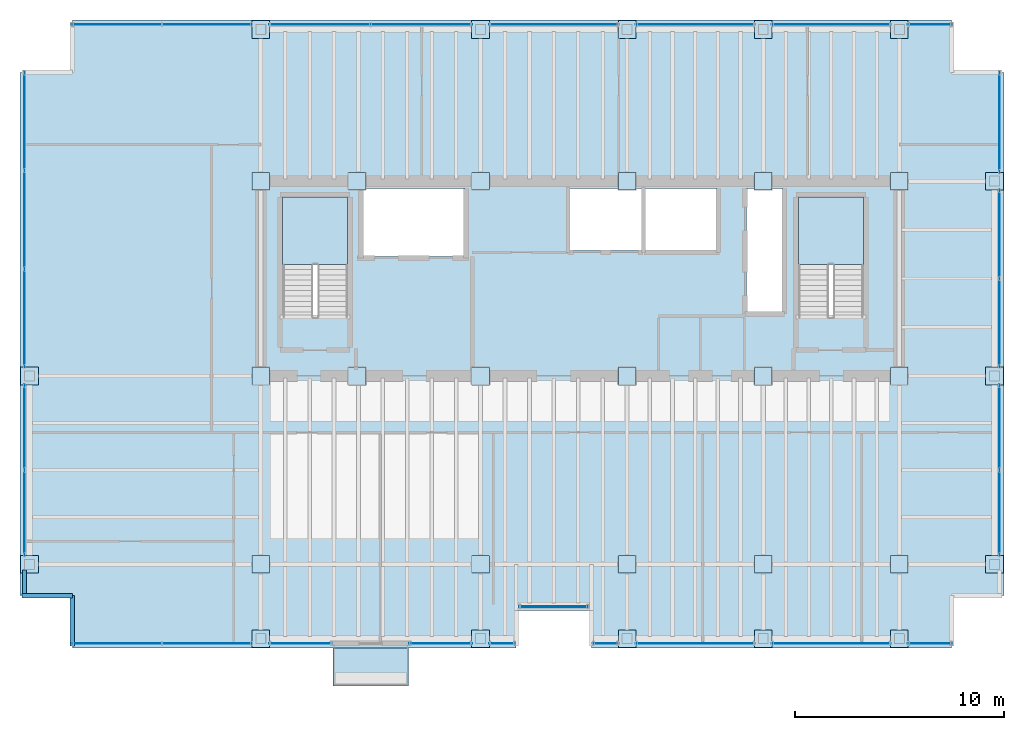
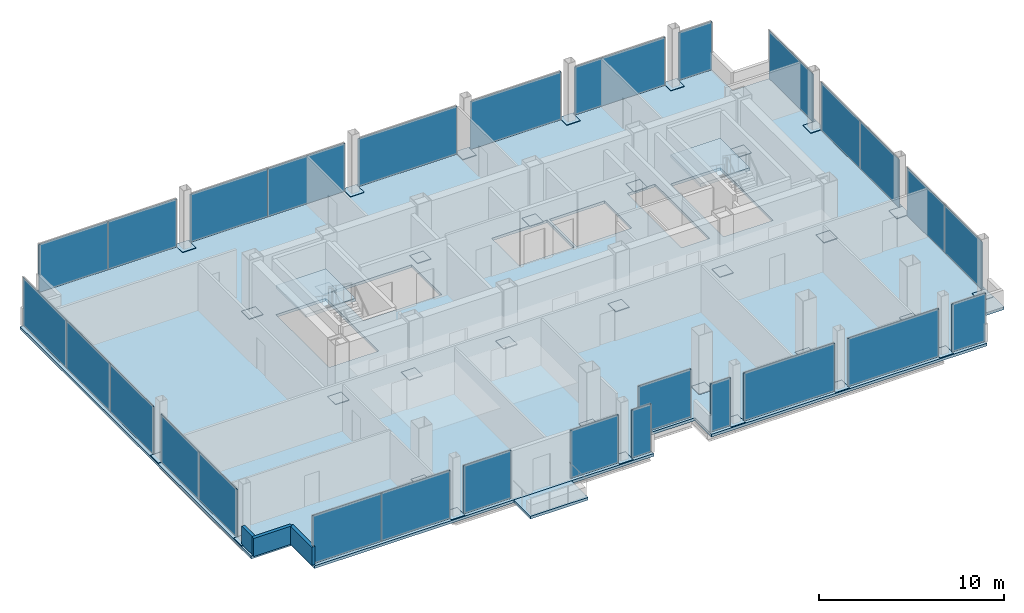
# One storey, part 15 of 18: 60 plates, 4 slabs, 3 walls, 6 openings, 22 elements without a shape of their own.
"""IFC4 building model written with IfcOpenShell, lengths in metres."""

from ifc_helpers import new_model, si_unit, direction, frame, frame_2d, origin, origin_2d, place, context, subcontext, project, spatial, polyline, rectangle, outline, extrude, material, layer, layer_set, type_object, element, aggregate, save


model = new_model("IFC4")

# Units and contexts
model_context = context("Model", 3, precision=1e-05, world=origin(), true_north=direction((0.0, 1.0)))
body_context = subcontext(model_context, "Body", "Model", "MODEL_VIEW")
ifc_project = project(units=[si_unit("LENGTHUNIT", "METRE"), si_unit("AREAUNIT", "SQUARE_METRE"), si_unit("VOLUMEUNIT", "CUBIC_METRE"), si_unit("PLANEANGLEUNIT", "RADIAN"), si_unit("MASSUNIT", "GRAM", prefix="KILO")], contexts=[model_context])

# Site, building, storey
site_placement = place(None, origin())
site = spatial("IfcSite", under=ifc_project, at=site_placement, CompositionType="ELEMENT")
building_placement = place(site_placement, origin())
building = spatial("IfcBuilding", under=site, at=building_placement, Name="Noeulbin Bourse Tower", CompositionType="ELEMENT")
storey_placement = place(building_placement, frame((0.0, 0.0, 161.699951171875)))
storey = spatial("IfcBuildingStorey", under=building, at=storey_placement, Name="L40", CompositionType="ELEMENT", Elevation=161.699951171875)

# Curtain wall, plate
ifc_material_1 = material(Name="Dark Tinted Triple Glazing", Category="glass")
curtain_wall_type = type_object("IfcCurtainWallType", Name="CW-SYS-3", PredefinedType="NOTDEFINED", material=ifc_material_1)
curtain_wall_1_placement = place(storey_placement, origin())
curtain_wall_1 = element("IfcCurtainWall", 1, at=curtain_wall_1_placement, inside=storey, type_object=curtain_wall_type, Name="Unitised Curtain Wall CW-L40-SREC", PredefinedType="NOTDEFINED")
ifc_layer_1 = layer(ifc_material_1, 0.035888671875)
ifc_layer_set_1 = layer_set([ifc_layer_1], Name="Dark Tinted Triple Glazing")
plate_type_1 = type_object("IfcPlateType", Name="CW-SYS-3-PNL", PredefinedType="CURTAIN_PANEL", material=ifc_layer_set_1)
plate_1_placement = place(storey_placement, frame((27.5, 17.97998046875, 0.0), z_axis=(0.0, 0.0, 1.0), x_axis=(1.0, 0.0, 0.0)))
plate_1 = element("IfcPlate", 2, at=plate_1_placement, type_object=plate_type_1, Name="Glazed Curtain Panel CW-L40-SREC-P00", PredefinedType="CURTAIN_PANEL", context=body_context, shape_type="SweptSolid", body=[
    extrude(rectangle(XDim=3.300048828125, YDim=0.035888671875, at=origin_2d()), origin(), (0.0, 0.0, 1.0), 3.179931640625),
])
aggregate(curtain_wall_1, [plate_1])

# Curtain wall, plates
curtain_wall_2_placement = place(storey_placement, origin())
curtain_wall_2 = element("IfcCurtainWall", 3, at=curtain_wall_2_placement, inside=storey, type_object=curtain_wall_type, Name="Unitised Curtain Wall CW-L40-S1-S1", PredefinedType="NOTDEFINED")
plate_2_placement = place(storey_placement, frame((6.632568359375, 16.219970703125, 0.0), z_axis=(0.0, 0.0, 1.0), x_axis=(1.0, 0.0, 0.0)))
plate_2 = element("IfcPlate", 4, at=plate_2_placement, type_object=plate_type_1, Name="Glazed Curtain Panel CW-L40-S1-S1-P00", PredefinedType="CURTAIN_PANEL", context=body_context, shape_type="SweptSolid", body=[
    extrude(rectangle(XDim=4.304931640625, YDim=0.035888671875, at=origin_2d()), origin(), (0.0, 0.0, 1.0), 3.179931640625),
])
plate_3_placement = place(storey_placement, frame((10.9375, 16.219970703125, 0.0), z_axis=(0.0, 0.0, 1.0), x_axis=(1.0, 0.0, 0.0)))
plate_3 = element("IfcPlate", 5, at=plate_3_placement, type_object=plate_type_1, Name="Glazed Curtain Panel CW-L40-S1-S1-P01", PredefinedType="CURTAIN_PANEL", context=body_context, shape_type="SweptSolid", body=[
    extrude(rectangle(XDim=4.304931640625, YDim=0.035888671875, at=origin_2d()), origin(), (0.0, 0.0, 1.0), 3.179931640625),
])
aggregate(curtain_wall_2, [plate_2, plate_3])

# Curtain wall, plate
curtain_wall_3_placement = place(storey_placement, origin())
curtain_wall_3 = element("IfcCurtainWall", 6, at=curtain_wall_3_placement, inside=storey, type_object=curtain_wall_type, Name="Unitised Curtain Wall CW-L40-S1-S2", PredefinedType="NOTDEFINED")
plate_4_placement = place(storey_placement, frame((15.405029296875, 16.219970703125, 0.0), z_axis=(0.0, 0.0, 1.0), x_axis=(1.0, 0.0, 0.0)))
plate_4 = element("IfcPlate", 7, at=plate_4_placement, type_object=plate_type_1, Name="Glazed Curtain Panel CW-L40-S1-S2-P00", PredefinedType="CURTAIN_PANEL", context=body_context, shape_type="SweptSolid", body=[
    extrude(rectangle(XDim=2.989990234375, YDim=0.035888671875, at=origin_2d()), origin(), (0.0, 0.0, 1.0), 3.179931640625),
])
aggregate(curtain_wall_3, [plate_4])

curtain_wall_4_placement = place(storey_placement, origin())
curtain_wall_4 = element("IfcCurtainWall", 8, at=curtain_wall_4_placement, inside=storey, type_object=curtain_wall_type, Name="Unitised Curtain Wall CW-L40-S2-S1", PredefinedType="NOTDEFINED")
plate_5_placement = place(storey_placement, frame((22.094970703125, 16.219970703125, 0.0), z_axis=(0.0, 0.0, 1.0), x_axis=(1.0, 0.0, 0.0)))
plate_5 = element("IfcPlate", 9, at=plate_5_placement, type_object=plate_type_1, Name="Glazed Curtain Panel CW-L40-S2-S1-P00", PredefinedType="CURTAIN_PANEL", context=body_context, shape_type="SweptSolid", body=[
    extrude(rectangle(XDim=2.989990234375, YDim=0.035888671875, at=origin_2d()), origin(), (0.0, 0.0, 1.0), 3.179931640625),
])
aggregate(curtain_wall_4, [plate_5])

curtain_wall_5_placement = place(storey_placement, origin())
curtain_wall_5 = element("IfcCurtainWall", 10, at=curtain_wall_5_placement, inside=storey, type_object=curtain_wall_type, Name="Unitised Curtain Wall CW-L40-S2-S2", PredefinedType="NOTDEFINED")
plate_6_placement = place(storey_placement, frame((25.030029296875, 16.219970703125, 0.0), z_axis=(0.0, 0.0, 1.0), x_axis=(1.0, 0.0, 0.0)))
plate_6 = element("IfcPlate", 11, at=plate_6_placement, type_object=plate_type_1, Name="Glazed Curtain Panel CW-L40-S2-S2-P00", PredefinedType="CURTAIN_PANEL", context=body_context, shape_type="SweptSolid", body=[
    extrude(rectangle(XDim=1.239990234375, YDim=0.035888671875, at=origin_2d()), origin(), (0.0, 0.0, 1.0), 3.179931640625),
])
aggregate(curtain_wall_5, [plate_6])

curtain_wall_6_placement = place(storey_placement, origin())
curtain_wall_6 = element("IfcCurtainWall", 12, at=curtain_wall_6_placement, inside=storey, type_object=curtain_wall_type, Name="Unitised Curtain Wall CW-L40-S3-S1", PredefinedType="NOTDEFINED")
plate_7_placement = place(storey_placement, frame((29.969970703125, 16.219970703125, 0.0), z_axis=(0.0, 0.0, 1.0), x_axis=(1.0, 0.0, 0.0)))
plate_7 = element("IfcPlate", 13, at=plate_7_placement, type_object=plate_type_1, Name="Glazed Curtain Panel CW-L40-S3-S1-P00", PredefinedType="CURTAIN_PANEL", context=body_context, shape_type="SweptSolid", body=[
    extrude(rectangle(XDim=1.239990234375, YDim=0.035888671875, at=origin_2d()), origin(), (0.0, 0.0, 1.0), 3.179931640625),
])
aggregate(curtain_wall_6, [plate_7])

curtain_wall_7_placement = place(storey_placement, origin())
curtain_wall_7 = element("IfcCurtainWall", 14, at=curtain_wall_7_placement, inside=storey, type_object=curtain_wall_type, Name="Unitised Curtain Wall CW-L40-S3-S2", PredefinedType="NOTDEFINED")
plate_8_placement = place(storey_placement, frame((34.25, 16.219970703125, 0.0), z_axis=(0.0, 0.0, 1.0), x_axis=(1.0, 0.0, 0.0)))
plate_8 = element("IfcPlate", 15, at=plate_8_placement, type_object=plate_type_1, Name="Glazed Curtain Panel CW-L40-S3-S2-P00", PredefinedType="CURTAIN_PANEL", context=body_context, shape_type="SweptSolid", body=[
    extrude(rectangle(XDim=5.679931640625, YDim=0.035888671875, at=origin_2d()), origin(), (0.0, 0.0, 1.0), 3.179931640625),
])
aggregate(curtain_wall_7, [plate_8])

curtain_wall_8_placement = place(storey_placement, origin())
curtain_wall_8 = element("IfcCurtainWall", 16, at=curtain_wall_8_placement, inside=storey, type_object=curtain_wall_type, Name="Unitised Curtain Wall CW-L40-S3-S3", PredefinedType="NOTDEFINED")
plate_9_placement = place(storey_placement, frame((40.75, 16.219970703125, 0.0), z_axis=(0.0, 0.0, 1.0), x_axis=(1.0, 0.0, 0.0)))
plate_9 = element("IfcPlate", 17, at=plate_9_placement, type_object=plate_type_1, Name="Glazed Curtain Panel CW-L40-S3-S3-P00", PredefinedType="CURTAIN_PANEL", context=body_context, shape_type="SweptSolid", body=[
    extrude(rectangle(XDim=5.679931640625, YDim=0.035888671875, at=origin_2d()), origin(), (0.0, 0.0, 1.0), 3.179931640625),
])
aggregate(curtain_wall_8, [plate_9])

curtain_wall_9_placement = place(storey_placement, origin())
curtain_wall_9 = element("IfcCurtainWall", 18, at=curtain_wall_9_placement, inside=storey, type_object=curtain_wall_type, Name="Unitised Curtain Wall CW-L40-S3-S4", PredefinedType="NOTDEFINED")
plate_10_placement = place(storey_placement, frame((45.465087890625, 16.219970703125, 0.0), z_axis=(0.0, 0.0, 1.0), x_axis=(1.0, 0.0, 0.0)))
plate_10 = element("IfcPlate", 19, at=plate_10_placement, type_object=plate_type_1, Name="Glazed Curtain Panel CW-L40-S3-S4-P00", PredefinedType="CURTAIN_PANEL", context=body_context, shape_type="SweptSolid", body=[
    extrude(rectangle(XDim=2.110107421875, YDim=0.035888671875, at=origin_2d()), origin(), (0.0, 0.0, 1.0), 3.179931640625),
])
aggregate(curtain_wall_9, [plate_10])

# Curtain wall, plates
curtain_wall_10_placement = place(storey_placement, origin())
curtain_wall_10 = element("IfcCurtainWall", 20, at=curtain_wall_10_placement, inside=storey, type_object=curtain_wall_type, Name="Unitised Curtain Wall CW-L40-N-S1", PredefinedType="NOTDEFINED")
plate_11_placement = place(storey_placement, frame((6.632568359375, 45.780029296875, 0.0), z_axis=(0.0, 0.0, 1.0), x_axis=(1.0, 0.0, 0.0)))
plate_11 = element("IfcPlate", 21, at=plate_11_placement, type_object=plate_type_1, Name="Glazed Curtain Panel CW-L40-N-S1-P00", PredefinedType="CURTAIN_PANEL", context=body_context, shape_type="SweptSolid", body=[
    extrude(rectangle(XDim=4.304931640625, YDim=0.035888671875, at=origin_2d()), origin(), (0.0, 0.0, 1.0), 3.179931640625),
])
plate_12_placement = place(storey_placement, frame((10.9375, 45.780029296875, 0.0), z_axis=(0.0, 0.0, 1.0), x_axis=(1.0, 0.0, 0.0)))
plate_12 = element("IfcPlate", 22, at=plate_12_placement, type_object=plate_type_1, Name="Glazed Curtain Panel CW-L40-N-S1-P01", PredefinedType="CURTAIN_PANEL", context=body_context, shape_type="SweptSolid", body=[
    extrude(rectangle(XDim=4.304931640625, YDim=0.035888671875, at=origin_2d()), origin(), (0.0, 0.0, 1.0), 3.179931640625),
])
aggregate(curtain_wall_10, [plate_11, plate_12])

curtain_wall_11_placement = place(storey_placement, origin())
curtain_wall_11 = element("IfcCurtainWall", 23, at=curtain_wall_11_placement, inside=storey, type_object=curtain_wall_type, Name="Unitised Curtain Wall CW-L40-N-S2", PredefinedType="NOTDEFINED")
plate_13_placement = place(storey_placement, frame((16.330078125, 45.780029296875, 0.0), z_axis=(0.0, 0.0, 1.0), x_axis=(1.0, 0.0, 0.0)))
plate_13 = element("IfcPlate", 24, at=plate_13_placement, type_object=plate_type_1, Name="Glazed Curtain Panel CW-L40-N-S2-P00", PredefinedType="CURTAIN_PANEL", context=body_context, shape_type="SweptSolid", body=[
    extrude(rectangle(XDim=4.840087890625, YDim=0.035888671875, at=origin_2d()), origin(), (0.0, 0.0, 1.0), 3.179931640625),
])
plate_14_placement = place(storey_placement, frame((21.169921875, 45.780029296875, 0.0), z_axis=(0.0, 0.0, 1.0), x_axis=(1.0, 0.0, 0.0)))
plate_14 = element("IfcPlate", 25, at=plate_14_placement, type_object=plate_type_1, Name="Glazed Curtain Panel CW-L40-N-S2-P01", PredefinedType="CURTAIN_PANEL", context=body_context, shape_type="SweptSolid", body=[
    extrude(rectangle(XDim=4.840087890625, YDim=0.035888671875, at=origin_2d()), origin(), (0.0, 0.0, 1.0), 3.179931640625),
])
aggregate(curtain_wall_11, [plate_13, plate_14])

# Curtain wall, plate
curtain_wall_12_placement = place(storey_placement, origin())
curtain_wall_12 = element("IfcCurtainWall", 26, at=curtain_wall_12_placement, inside=storey, type_object=curtain_wall_type, Name="Unitised Curtain Wall CW-L40-N-S3", PredefinedType="NOTDEFINED")
plate_15_placement = place(storey_placement, frame((27.5, 45.780029296875, 0.0), z_axis=(0.0, 0.0, 1.0), x_axis=(1.0, 0.0, 0.0)))
plate_15 = element("IfcPlate", 27, at=plate_15_placement, type_object=plate_type_1, Name="Glazed Curtain Panel CW-L40-N-S3-P00", PredefinedType="CURTAIN_PANEL", context=body_context, shape_type="SweptSolid", body=[
    extrude(rectangle(XDim=6.179931640625, YDim=0.035888671875, at=origin_2d()), origin(), (0.0, 0.0, 1.0), 3.179931640625),
])
aggregate(curtain_wall_12, [plate_15])

curtain_wall_13_placement = place(storey_placement, origin())
curtain_wall_13 = element("IfcCurtainWall", 28, at=curtain_wall_13_placement, inside=storey, type_object=curtain_wall_type, Name="Unitised Curtain Wall CW-L40-N-S4", PredefinedType="NOTDEFINED")
plate_16_placement = place(storey_placement, frame((34.25, 45.780029296875, 0.0), z_axis=(0.0, 0.0, 1.0), x_axis=(1.0, 0.0, 0.0)))
plate_16 = element("IfcPlate", 29, at=plate_16_placement, type_object=plate_type_1, Name="Glazed Curtain Panel CW-L40-N-S4-P00", PredefinedType="CURTAIN_PANEL", context=body_context, shape_type="SweptSolid", body=[
    extrude(rectangle(XDim=5.679931640625, YDim=0.035888671875, at=origin_2d()), origin(), (0.0, 0.0, 1.0), 3.179931640625),
])
aggregate(curtain_wall_13, [plate_16])

curtain_wall_14_placement = place(storey_placement, origin())
curtain_wall_14 = element("IfcCurtainWall", 30, at=curtain_wall_14_placement, inside=storey, type_object=curtain_wall_type, Name="Unitised Curtain Wall CW-L40-N-S5", PredefinedType="NOTDEFINED")
plate_17_placement = place(storey_placement, frame((40.75, 45.780029296875, 0.0), z_axis=(0.0, 0.0, 1.0), x_axis=(1.0, 0.0, 0.0)))
plate_17 = element("IfcPlate", 31, at=plate_17_placement, type_object=plate_type_1, Name="Glazed Curtain Panel CW-L40-N-S5-P00", PredefinedType="CURTAIN_PANEL", context=body_context, shape_type="SweptSolid", body=[
    extrude(rectangle(XDim=5.679931640625, YDim=0.035888671875, at=origin_2d()), origin(), (0.0, 0.0, 1.0), 3.179931640625),
])
aggregate(curtain_wall_14, [plate_17])

curtain_wall_15_placement = place(storey_placement, origin())
curtain_wall_15 = element("IfcCurtainWall", 32, at=curtain_wall_15_placement, inside=storey, type_object=curtain_wall_type, Name="Unitised Curtain Wall CW-L40-N-S6", PredefinedType="NOTDEFINED")
plate_18_placement = place(storey_placement, frame((45.465087890625, 45.780029296875, 0.0), z_axis=(0.0, 0.0, 1.0), x_axis=(1.0, 0.0, 0.0)))
plate_18 = element("IfcPlate", 33, at=plate_18_placement, type_object=plate_type_1, Name="Glazed Curtain Panel CW-L40-N-S6-P00", PredefinedType="CURTAIN_PANEL", context=body_context, shape_type="SweptSolid", body=[
    extrude(rectangle(XDim=2.110107421875, YDim=0.035888671875, at=origin_2d()), origin(), (0.0, 0.0, 1.0), 3.179931640625),
])
aggregate(curtain_wall_15, [plate_18])

# Curtain wall, plates
curtain_wall_16_placement = place(storey_placement, origin())
curtain_wall_16 = element("IfcCurtainWall", 34, at=curtain_wall_16_placement, inside=storey, type_object=curtain_wall_type, Name="Unitised Curtain Wall CW-L40-W-S1", PredefinedType="NOTDEFINED")
plate_19_placement = place(storey_placement, frame((2.219970703125, 22.455078125, 0.0), z_axis=(0.0, 0.0, 1.0), x_axis=(0.0, 1.0, 0.0)))
plate_19 = element("IfcPlate", 35, at=plate_19_placement, type_object=plate_type_1, Name="Glazed Curtain Panel CW-L40-W-S1-P00", PredefinedType="CURTAIN_PANEL", context=body_context, shape_type="SweptSolid", body=[
    extrude(rectangle(XDim=4.090087890625, YDim=0.035888671875, at=origin_2d()), origin(), (0.0, 0.0, 1.0), 3.179931640625),
])
plate_20_placement = place(storey_placement, frame((2.219970703125, 26.544921875, 0.0), z_axis=(0.0, 0.0, 1.0), x_axis=(0.0, 1.0, 0.0)))
plate_20 = element("IfcPlate", 36, at=plate_20_placement, type_object=plate_type_1, Name="Glazed Curtain Panel CW-L40-W-S1-P01", PredefinedType="CURTAIN_PANEL", context=body_context, shape_type="SweptSolid", body=[
    extrude(rectangle(XDim=4.090087890625, YDim=0.035888671875, at=origin_2d()), origin(), (0.0, 0.0, 1.0), 3.179931640625),
])
aggregate(curtain_wall_16, [plate_19, plate_20])

curtain_wall_17_placement = place(storey_placement, origin())
curtain_wall_17 = element("IfcCurtainWall", 37, at=curtain_wall_17_placement, inside=storey, type_object=curtain_wall_type, Name="Unitised Curtain Wall CW-L40-W-S2", PredefinedType="NOTDEFINED")
plate_21_placement = place(storey_placement, frame((2.219970703125, 31.76171875, 0.0), z_axis=(0.0, 0.0, 1.0), x_axis=(0.0, 1.0, 0.0)))
plate_21 = element("IfcPlate", 38, at=plate_21_placement, type_object=plate_type_1, Name="Glazed Curtain Panel CW-L40-W-S2-P00", PredefinedType="CURTAIN_PANEL", context=body_context, shape_type="SweptSolid", body=[
    extrude(rectangle(XDim=4.703369140625, YDim=0.035888671875, at=origin_2d()), origin(), (0.0, 0.0, 1.0), 3.179931640625),
])
plate_22_placement = place(storey_placement, frame((2.219970703125, 36.465087890625, 0.0), z_axis=(0.0, 0.0, 1.0), x_axis=(0.0, 1.0, 0.0)))
plate_22 = element("IfcPlate", 39, at=plate_22_placement, type_object=plate_type_1, Name="Glazed Curtain Panel CW-L40-W-S2-P01", PredefinedType="CURTAIN_PANEL", context=body_context, shape_type="SweptSolid", body=[
    extrude(rectangle(XDim=4.703369140625, YDim=0.035888671875, at=origin_2d()), origin(), (0.0, 0.0, 1.0), 3.179931640625),
])
plate_23_placement = place(storey_placement, frame((2.219970703125, 41.168212890625, 0.0), z_axis=(0.0, 0.0, 1.0), x_axis=(0.0, 1.0, 0.0)))
plate_23 = element("IfcPlate", 40, at=plate_23_placement, type_object=plate_type_1, Name="Glazed Curtain Panel CW-L40-W-S2-P02", PredefinedType="CURTAIN_PANEL", context=body_context, shape_type="SweptSolid", body=[
    extrude(rectangle(XDim=4.703369140625, YDim=0.035888671875, at=origin_2d()), origin(), (0.0, 0.0, 1.0), 3.179931640625),
])
aggregate(curtain_wall_17, [plate_21, plate_22, plate_23])

curtain_wall_18_placement = place(storey_placement, origin())
curtain_wall_18 = element("IfcCurtainWall", 41, at=curtain_wall_18_placement, inside=storey, type_object=curtain_wall_type, Name="Unitised Curtain Wall CW-L40-E-S1", PredefinedType="NOTDEFINED")
plate_24_placement = place(storey_placement, frame((48.780029296875, 22.455078125, 0.0), z_axis=(0.0, 0.0, 1.0), x_axis=(0.0, 1.0, 0.0)))
plate_24 = element("IfcPlate", 42, at=plate_24_placement, type_object=plate_type_1, Name="Glazed Curtain Panel CW-L40-E-S1-P00", PredefinedType="CURTAIN_PANEL", context=body_context, shape_type="SweptSolid", body=[
    extrude(rectangle(XDim=4.090087890625, YDim=0.035888671875, at=origin_2d()), origin(), (0.0, 0.0, 1.0), 3.179931640625),
])
plate_25_placement = place(storey_placement, frame((48.780029296875, 26.544921875, 0.0), z_axis=(0.0, 0.0, 1.0), x_axis=(0.0, 1.0, 0.0)))
plate_25 = element("IfcPlate", 43, at=plate_25_placement, type_object=plate_type_1, Name="Glazed Curtain Panel CW-L40-E-S1-P01", PredefinedType="CURTAIN_PANEL", context=body_context, shape_type="SweptSolid", body=[
    extrude(rectangle(XDim=4.090087890625, YDim=0.035888671875, at=origin_2d()), origin(), (0.0, 0.0, 1.0), 3.179931640625),
])
aggregate(curtain_wall_18, [plate_24, plate_25])

curtain_wall_19_placement = place(storey_placement, origin())
curtain_wall_19 = element("IfcCurtainWall", 44, at=curtain_wall_19_placement, inside=storey, type_object=curtain_wall_type, Name="Unitised Curtain Wall CW-L40-E-S2", PredefinedType="NOTDEFINED")
plate_26_placement = place(storey_placement, frame((48.780029296875, 31.530029296875, 0.0), z_axis=(0.0, 0.0, 1.0), x_axis=(0.0, 1.0, 0.0)))
plate_26 = element("IfcPlate", 45, at=plate_26_placement, type_object=plate_type_1, Name="Glazed Curtain Panel CW-L40-E-S2-P00", PredefinedType="CURTAIN_PANEL", context=body_context, shape_type="SweptSolid", body=[
    extrude(rectangle(XDim=4.239990234375, YDim=0.035888671875, at=origin_2d()), origin(), (0.0, 0.0, 1.0), 3.179931640625),
])
plate_27_placement = place(storey_placement, frame((48.780029296875, 35.77001953125, 0.0), z_axis=(0.0, 0.0, 1.0), x_axis=(0.0, 1.0, 0.0)))
plate_27 = element("IfcPlate", 46, at=plate_27_placement, type_object=plate_type_1, Name="Glazed Curtain Panel CW-L40-E-S2-P01", PredefinedType="CURTAIN_PANEL", context=body_context, shape_type="SweptSolid", body=[
    extrude(rectangle(XDim=4.239990234375, YDim=0.035888671875, at=origin_2d()), origin(), (0.0, 0.0, 1.0), 3.179931640625),
])
aggregate(curtain_wall_19, [plate_26, plate_27])

# Curtain wall, plate
curtain_wall_20_placement = place(storey_placement, origin())
curtain_wall_20 = element("IfcCurtainWall", 47, at=curtain_wall_20_placement, inside=storey, type_object=curtain_wall_type, Name="Unitised Curtain Wall CW-L40-E-S3", PredefinedType="NOTDEFINED")
plate_28_placement = place(storey_placement, frame((48.780029296875, 41.114990234375, 0.0), z_axis=(0.0, 0.0, 1.0), x_axis=(0.0, 1.0, 0.0)))
plate_28 = element("IfcPlate", 48, at=plate_28_placement, type_object=plate_type_1, Name="Glazed Curtain Panel CW-L40-E-S3-P00", PredefinedType="CURTAIN_PANEL", context=body_context, shape_type="SweptSolid", body=[
    extrude(rectangle(XDim=4.81005859375, YDim=0.035888671875, at=origin_2d()), origin(), (0.0, 0.0, 1.0), 3.179931640625),
])
aggregate(curtain_wall_20, [plate_28])

# Plates
ifc_material_2 = material(Name="Steel S355", Category="steel")
ifc_layer_2 = layer(ifc_material_2, 0.030029296875)
ifc_layer_set_2 = layer_set([ifc_layer_2], Name="Steel S355")
plate_type_2 = type_object("IfcPlateType", Name="PLT-BN1", PredefinedType="USERDEFINED", material=ifc_layer_set_2)
for number, where, z_axis, x_axis, name in (
    (49, (13.5, 29.0, 0.0048828125), (0.0, 0.0, 1.0), (1.0, 0.0, 0.0), "Mega-Column Splice Plate BN1-L40-01"),
    (50, (13.5, 38.300048828125, 0.0048828125), (0.0, 0.0, 1.0), (1.0, 0.0, 0.0), "Mega-Column Splice Plate BN1-L40-02"),
    (51, (18.10009765625, 29.0, 0.0048828125), (0.0, 0.0, 1.0), (1.0, 0.0, 0.0), "Mega-Column Splice Plate BN1-L40-03"),
    (52, (18.10009765625, 38.300048828125, 0.0048828125), (0.0, 0.0, 1.0), (1.0, 0.0, 0.0), "Mega-Column Splice Plate BN1-L40-04"),
    (53, (24.0, 29.0, 0.0048828125), (0.0, 0.0, 1.0), (1.0, 0.0, 0.0), "Mega-Column Splice Plate BN1-L40-05"),
    (54, (24.0, 38.300048828125, 0.0048828125), (0.0, 0.0, 1.0), (1.0, 0.0, 0.0), "Mega-Column Splice Plate BN1-L40-06"),
    (55, (31.0, 29.0, 0.0048828125), (0.0, 0.0, 1.0), (1.0, 0.0, 0.0), "Mega-Column Splice Plate BN1-L40-07"),
    (56, (31.0, 38.300048828125, 0.0048828125), (0.0, 0.0, 1.0), (1.0, 0.0, 0.0), "Mega-Column Splice Plate BN1-L40-08"),
    (57, (37.5, 29.0, 0.0048828125), (0.0, 0.0, 1.0), (1.0, 0.0, 0.0), "Mega-Column Splice Plate BN1-L40-09"),
    (58, (37.5, 38.300048828125, 0.0048828125), (0.0, 0.0, 1.0), (1.0, 0.0, 0.0), "Mega-Column Splice Plate BN1-L40-10"),
    (59, (44.0, 29.0, 0.0048828125), (0.0, 0.0, 1.0), (1.0, 0.0, 0.0), "Mega-Column Splice Plate BN1-L40-11"),
    (60, (44.0, 38.300048828125, 0.0048828125), (0.0, 0.0, 1.0), (1.0, 0.0, 0.0), "Mega-Column Splice Plate BN1-L40-12"),
    (61, (13.5, 20.0, 0.0048828125), (0.0, 0.0, 1.0), (1.0, 0.0, 0.0), "Mega-Column Splice Plate BN1-L40-13"),
    (62, (24.0, 20.0, 0.0048828125), (0.0, 0.0, 1.0), (1.0, 0.0, 0.0), "Mega-Column Splice Plate BN1-L40-14"),
    (63, (31.0, 20.0, 0.0048828125), (0.0, 0.0, 1.0), (1.0, 0.0, 0.0), "Mega-Column Splice Plate BN1-L40-15"),
    (64, (37.5, 20.0, 0.0048828125), (0.0, 0.0, 1.0), (1.0, 0.0, 0.0), "Mega-Column Splice Plate BN1-L40-16"),
    (65, (44.0, 20.0, 0.0048828125), (0.0, 0.0, 1.0), (1.0, 0.0, 0.0), "Mega-Column Splice Plate BN1-L40-17"),
    (66, (2.449951171875, 20.0, 0.0048828125), (0.0, 0.0, 1.0), (1.0, 0.0, 0.0), "Perimeter Column Splice Plate BN1-L40-01"),
    (67, (2.449951171875, 29.0, 0.0048828125), (0.0, 0.0, 1.0), (1.0, 0.0, 0.0), "Perimeter Column Splice Plate BN1-L40-02"),
    (68, (13.5, 16.449951171875, 0.0048828125), (0.0, 0.0, 1.0), (1.0, 0.0, 0.0), "Perimeter Column Splice Plate BN1-L40-03"),
    (69, (13.5, 45.550048828125, 0.0048828125), (0.0, 0.0, 1.0), (1.0, 0.0, 0.0), "Perimeter Column Splice Plate BN1-L40-04"),
    (70, (24.0, 16.449951171875, 0.0048828125), (0.0, 0.0, 1.0), (1.0, 0.0, 0.0), "Perimeter Column Splice Plate BN1-L40-05"),
    (71, (24.0, 45.550048828125, 0.0048828125), (0.0, 0.0, 1.0), (1.0, 0.0, 0.0), "Perimeter Column Splice Plate BN1-L40-06"),
    (72, (31.0, 16.449951171875, 0.0048828125), (0.0, 0.0, 1.0), (1.0, 0.0, 0.0), "Perimeter Column Splice Plate BN1-L40-07"),
    (73, (31.0, 45.550048828125, 0.0048828125), (0.0, 0.0, 1.0), (1.0, 0.0, 0.0), "Perimeter Column Splice Plate BN1-L40-08"),
    (74, (37.5, 16.449951171875, 0.0048828125), (0.0, 0.0, 1.0), (1.0, 0.0, 0.0), "Perimeter Column Splice Plate BN1-L40-09"),
    (75, (37.5, 45.550048828125, 0.0048828125), (0.0, 0.0, 1.0), (1.0, 0.0, 0.0), "Perimeter Column Splice Plate BN1-L40-10"),
    (76, (44.0, 16.449951171875, 0.0048828125), (0.0, 0.0, 1.0), (1.0, 0.0, 0.0), "Perimeter Column Splice Plate BN1-L40-11"),
    (77, (44.0, 45.550048828125, 0.0048828125), (0.0, 0.0, 1.0), (1.0, 0.0, 0.0), "Perimeter Column Splice Plate BN1-L40-12"),
    (78, (48.550048828125, 20.0, 0.0048828125), (0.0, 0.0, 1.0), (1.0, 0.0, 0.0), "Perimeter Column Splice Plate BN1-L40-13"),
    (79, (48.550048828125, 29.0, 0.0048828125), (0.0, 0.0, 1.0), (1.0, 0.0, 0.0), "Perimeter Column Splice Plate BN1-L40-14"),
    (80, (48.550048828125, 38.300048828125, 0.0048828125), (0.0, 0.0, 1.0), (1.0, 0.0, 0.0), "Perimeter Column Splice Plate BN1-L40-15"),
):
    element("IfcPlate", number, at=place(storey_placement, frame(where, z_axis=z_axis, x_axis=x_axis)), inside=storey, type_object=plate_type_2, Name=name, ObjectType="SPLICE PLATE", PredefinedType="USERDEFINED", context=body_context, shape_type="SweptSolid", body=[
        extrude(rectangle(XDim=0.85009765625, YDim=0.85009765625, at=origin_2d()), origin(), (0.0, 0.0, 1.0), 0.030029296875),
    ])

# Stair, slab
ifc_material_3 = material(Name="Concrete C40/50", Category="concrete")
stair_type = type_object("IfcStairType", Name="STR-CORE-1560", PredefinedType="HALF_TURN_STAIR", material=ifc_material_3)
stair_1_placement = place(storey_placement, origin())
stair_1 = element("IfcStair", 81, at=stair_1_placement, inside=storey, type_object=stair_type, Name="L40 ST-1", PredefinedType="HALF_TURN_STAIR")
ifc_layer_3 = layer(ifc_material_3, 0.199951171875)
ifc_layer_set_3 = layer_set([ifc_layer_3], Name="Concrete C40/50")
slab_type_1 = type_object("IfcSlabType", Name="SLB-LND-200", PredefinedType="LANDING", material=ifc_layer_set_3)
slab_1_placement = place(storey_placement, frame((0.0, 0.0, 1.75)))
slab_1 = element("IfcSlab", 82, at=slab_1_placement, type_object=slab_type_1, Name="ST-1 landing 1", PredefinedType="LANDING", context=body_context, shape_type="SweptSolid", body=[
    extrude(outline(polyline([(17.64990234375, 34.330078125), (17.64990234375, 37.5439453125), (14.550048828125, 37.5439453125), (14.550048828125, 34.330078125), (17.64990234375, 34.330078125)])), origin(), (0.0, 0.0, 1.0), 0.199951171875),
])
aggregate(stair_1, [slab_1])

stair_2_placement = place(storey_placement, origin())
stair_2 = element("IfcStair", 83, at=stair_2_placement, inside=storey, type_object=stair_type, Name="L40 ST-2", PredefinedType="HALF_TURN_STAIR")
slab_2_placement = place(storey_placement, frame((0.0, 0.0, 1.75)))
slab_2 = element("IfcSlab", 84, at=slab_2_placement, type_object=slab_type_1, Name="ST-2 landing 1", PredefinedType="LANDING", context=body_context, shape_type="SweptSolid", body=[
    extrude(outline(polyline([(42.280029296875, 34.330078125), (42.280029296875, 37.5439453125), (39.179931640625, 37.5439453125), (39.179931640625, 34.330078125), (42.280029296875, 34.330078125)])), origin(), (0.0, 0.0, 1.0), 0.199951171875),
])
aggregate(stair_2, [slab_2])

# Slab, openings
ifc_layer_4 = layer(ifc_material_3, 0.179931640625)
ifc_layer_set_4 = layer_set([ifc_layer_4], Name="Concrete C40/50")
slab_type_2 = type_object("IfcSlabType", Name="SLB-TYP-180", PredefinedType="FLOOR", material=ifc_layer_set_4)
slab_3_placement = place(storey_placement, frame((0.0, 0.0, -0.179931640625)))
slab_3 = element("IfcSlab", 85, at=slab_3_placement, inside=storey, type_object=slab_type_2, Name="Tower Structural Floor Slab L40", PredefinedType="FLOOR", context=body_context, shape_type="SweptSolid", body=[
    extrude(outline(polyline([(4.5, 16.0), (25.699951171875, 16.0), (25.699951171875, 17.800048828125), (29.300048828125, 17.800048828125), (29.300048828125, 16.0), (46.5, 16.0), (46.5, 18.5), (49.0, 18.5), (49.0, 43.5), (46.5, 43.5), (46.5, 46.0), (4.5, 46.0), (4.5, 43.5), (2.0, 43.5), (2.0, 18.5), (4.5, 18.5), (4.5, 16.0)]), holes=[polyline([(17.64990234375, 31.81005859375), (17.64990234375, 37.5439453125), (14.550048828125, 37.5439453125), (14.550048828125, 31.81005859375), (17.64990234375, 31.81005859375)]), polyline([(42.280029296875, 31.81005859375), (42.280029296875, 37.5439453125), (39.179931640625, 37.5439453125), (39.179931640625, 31.81005859375), (42.280029296875, 31.81005859375)]), polyline([(18.35009765625, 34.699951171875), (23.25, 34.699951171875), (23.25, 37.949951171875), (18.35009765625, 37.949951171875), (18.35009765625, 34.699951171875)]), polyline([(36.699951171875, 32.050048828125), (38.449951171875, 32.050048828125), (38.449951171875, 37.949951171875), (36.699951171875, 37.949951171875), (36.699951171875, 32.050048828125)]), polyline([(28.25, 35.0), (31.699951171875, 35.0), (31.699951171875, 37.949951171875), (28.25, 37.949951171875), (28.25, 35.0)]), polyline([(31.85009765625, 35.0), (35.300048828125, 35.0), (35.300048828125, 37.949951171875), (31.85009765625, 37.949951171875), (31.85009765625, 35.0)])]), origin(), (0.0, 0.0, 1.0), 0.179931640625),
])
opening_1_placement = place(slab_3_placement, frame((0.0, 0.0, -0.010009765625)))
element("IfcOpeningElement", 86, at=opening_1_placement, cuts=slab_3, Name="Slab Shaft Opening SLB-L40-TWR-1", PredefinedType="OPENING", context=body_context, shape_type="SweptSolid", body=[
    extrude(outline(polyline([(17.64990234375, 31.81005859375), (17.64990234375, 37.5439453125), (14.550048828125, 37.5439453125), (14.550048828125, 31.81005859375), (17.64990234375, 31.81005859375)])), origin(), (0.0, 0.0, 1.0), 0.199951171875),
])
opening_2_placement = place(slab_3_placement, frame((0.0, 0.0, -0.010009765625)))
element("IfcOpeningElement", 87, at=opening_2_placement, cuts=slab_3, Name="Slab Shaft Opening SLB-L40-TWR-2", PredefinedType="OPENING", context=body_context, shape_type="SweptSolid", body=[
    extrude(outline(polyline([(42.280029296875, 31.81005859375), (42.280029296875, 37.5439453125), (39.179931640625, 37.5439453125), (39.179931640625, 31.81005859375), (42.280029296875, 31.81005859375)])), origin(), (0.0, 0.0, 1.0), 0.199951171875),
])
opening_3_placement = place(slab_3_placement, frame((0.0, 0.0, -0.010009765625)))
element("IfcOpeningElement", 88, at=opening_3_placement, cuts=slab_3, Name="Slab Shaft Opening SLB-L40-TWR-3", PredefinedType="OPENING", context=body_context, shape_type="SweptSolid", body=[
    extrude(outline(polyline([(18.35009765625, 34.699951171875), (23.25, 34.699951171875), (23.25, 37.949951171875), (18.35009765625, 37.949951171875), (18.35009765625, 34.699951171875)])), origin(), (0.0, 0.0, 1.0), 0.199951171875),
])
opening_4_placement = place(slab_3_placement, frame((0.0, 0.0, -0.010009765625)))
element("IfcOpeningElement", 89, at=opening_4_placement, cuts=slab_3, Name="Slab Shaft Opening SLB-L40-TWR-4", PredefinedType="OPENING", context=body_context, shape_type="SweptSolid", body=[
    extrude(outline(polyline([(36.699951171875, 32.050048828125), (38.449951171875, 32.050048828125), (38.449951171875, 37.949951171875), (36.699951171875, 37.949951171875), (36.699951171875, 32.050048828125)])), origin(), (0.0, 0.0, 1.0), 0.199951171875),
])
opening_5_placement = place(slab_3_placement, frame((0.0, 0.0, -0.010009765625)))
element("IfcOpeningElement", 90, at=opening_5_placement, cuts=slab_3, Name="Slab Shaft Opening SLB-L40-TWR-5", PredefinedType="OPENING", context=body_context, shape_type="SweptSolid", body=[
    extrude(outline(polyline([(28.25, 35.0), (31.699951171875, 35.0), (31.699951171875, 37.949951171875), (28.25, 37.949951171875), (28.25, 35.0)])), origin(), (0.0, 0.0, 1.0), 0.199951171875),
])
opening_6_placement = place(slab_3_placement, frame((0.0, 0.0, -0.010009765625)))
element("IfcOpeningElement", 91, at=opening_6_placement, cuts=slab_3, Name="Slab Shaft Opening SLB-L40-TWR-6", PredefinedType="OPENING", context=body_context, shape_type="SweptSolid", body=[
    extrude(outline(polyline([(31.85009765625, 35.0), (35.300048828125, 35.0), (35.300048828125, 37.949951171875), (31.85009765625, 37.949951171875), (31.85009765625, 35.0)])), origin(), (0.0, 0.0, 1.0), 0.199951171875),
])

# Slab
slab_4_placement = place(storey_placement, frame((0.0, 0.0, -0.179931640625)))
element("IfcSlab", 92, at=slab_4_placement, inside=storey, type_object=slab_type_2, Name="Cantilevered Tree-Balcony Slab L40", PredefinedType="FLOOR", context=body_context, shape_type="SweptSolid", body=[
    extrude(outline(polyline([(16.949951171875, 14.199951171875), (20.550048828125, 14.199951171875), (20.550048828125, 16.0), (16.949951171875, 16.0), (16.949951171875, 14.199951171875)])), origin(), (0.0, 0.0, 1.0), 0.179931640625),
])

# Walls
ifc_layer_5 = layer(ifc_material_3, 0.199951171875)
ifc_layer_set_5 = layer_set([ifc_layer_5], Name="Concrete C40/50")
wall_type = type_object("IfcWallType", Name="WAL-PAR-200", PredefinedType="PARAPET", material=ifc_layer_set_5)
wall_placement = place(storey_placement, frame((2.219970703125, 18.60009765625, 0.0), z_axis=(0.0, 0.0, 1.0), x_axis=(0.0, 1.0, 0.0)))
element("IfcWall", 93, at=wall_placement, inside=storey, type_object=wall_type, Name="Perimeter Pier Spandrel Parapet L40-W1", PredefinedType="PARAPET", context=body_context, shape_type="SweptSolid", body=[
    extrude(rectangle(XDim=1.1298828125, YDim=0.199951171875, at=frame_2d((0.56494140625, 0.0))), origin(), (0.0, 0.0, 1.0), 1.199951171875),
])
for number, where, z_axis, x_axis, name in (
    (94, (2.10009765625, 18.5, 0.0), (0.0, 0.0, 1.0), (1.0, 0.0, 0.0), "Corner Notch Parapet L40-SW1"),
    (95, (4.5, 18.5, 0.0), (0.0, 0.0, 1.0), (0.0, -1.0, 0.0), "Corner Notch Parapet L40-SW2"),
):
    element("IfcWall", number, at=place(storey_placement, frame(where, z_axis=z_axis, x_axis=x_axis)), inside=storey, type_object=wall_type, Name=name, PredefinedType="PARAPET", context=body_context, shape_type="SweptSolid", body=[
        extrude(rectangle(XDim=2.39990234375, YDim=0.199951171875, at=frame_2d((1.199951171875, 0.0))), origin(), (0.0, 0.0, 1.0), 1.199951171875),
    ])

save(model, "model.ifc")
